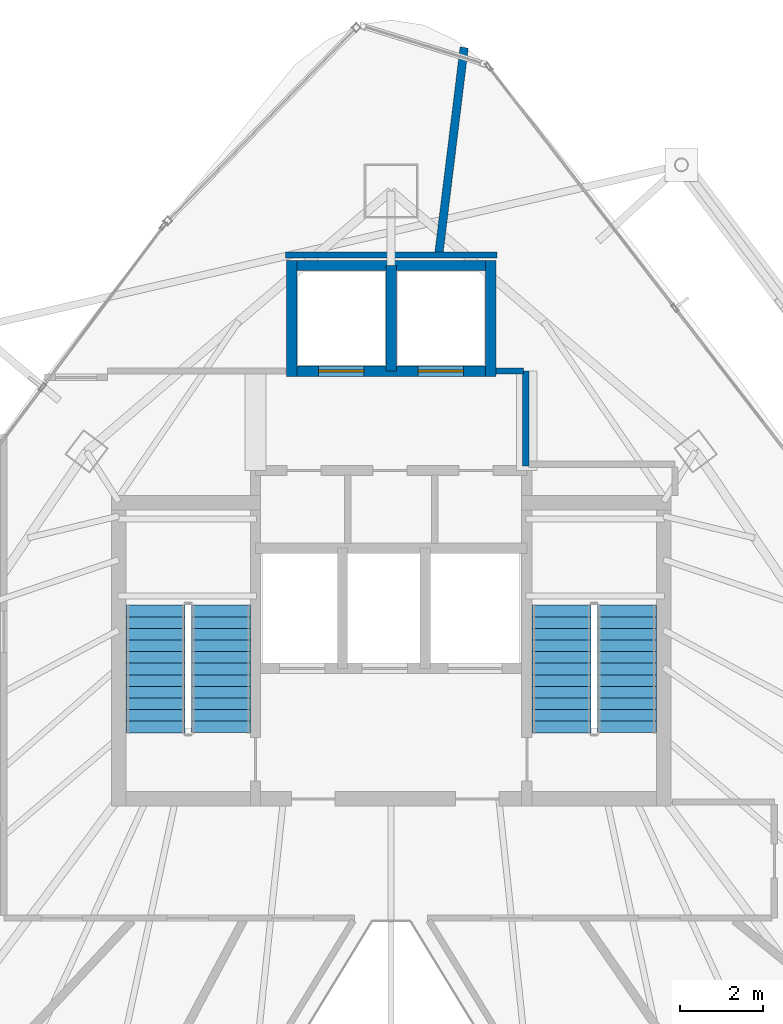
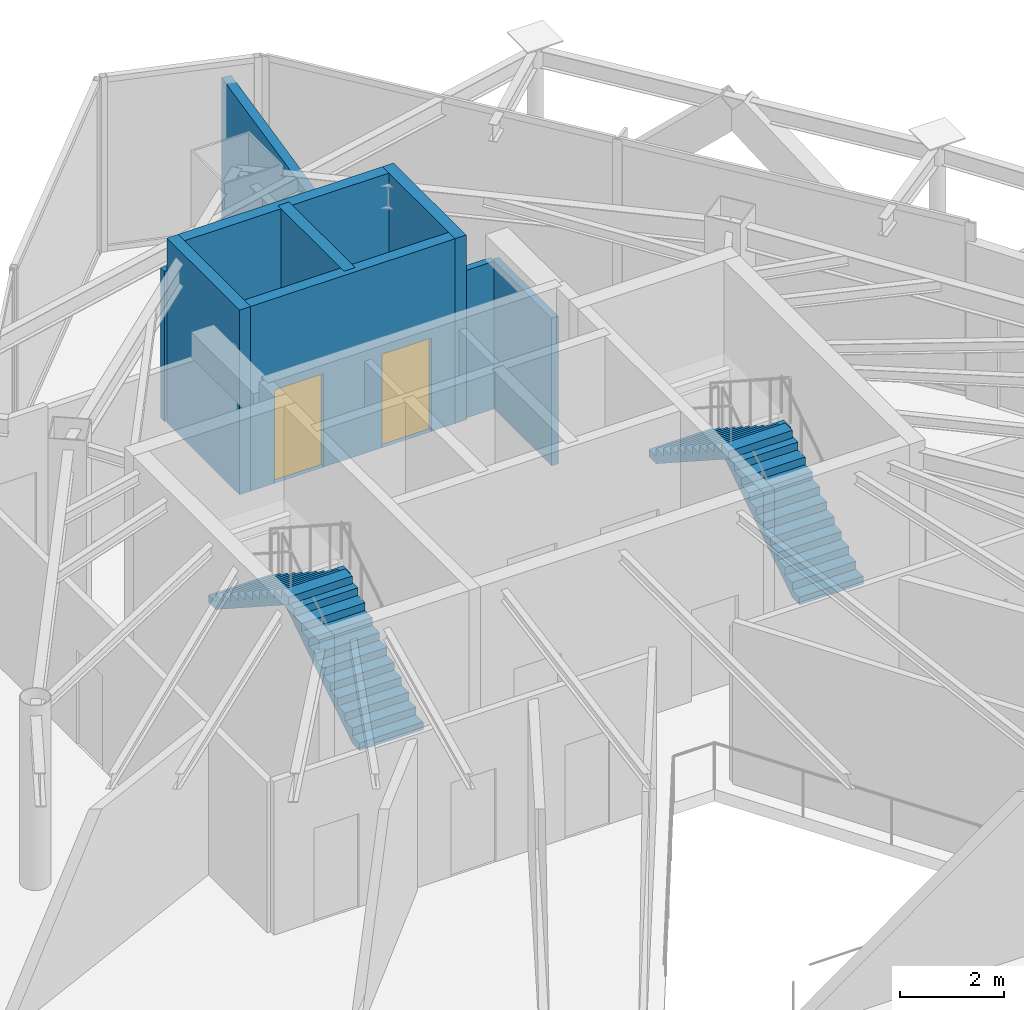
# One storey, part 22 of 25: 9 walls, 4 stair flights, 2 doors, 2 openings, 2 elements without a shape of their own.
"""IFC4 building model written with IfcOpenShell, lengths in metres."""

from ifc_helpers import new_model, si_unit, direction, frame, frame_2d, origin, place, context, subcontext, project, spatial, polyline, rectangle, outline, extrude, material, layer, layer_set, type_object, element, fill, aggregate, save


model = new_model("IFC4")

# Units and contexts
model_context = context("Model", 3, precision=1e-05, world=origin(), true_north=direction((0.0, 1.0)))
body_context = subcontext(model_context, "Body", "Model", "MODEL_VIEW")
ifc_project = project(units=[si_unit("LENGTHUNIT", "METRE"), si_unit("AREAUNIT", "SQUARE_METRE"), si_unit("VOLUMEUNIT", "CUBIC_METRE"), si_unit("PLANEANGLEUNIT", "RADIAN"), si_unit("MASSUNIT", "GRAM", prefix="KILO")], contexts=[model_context])

# Site, building, storey
site_placement = place(None, origin())
site = spatial("IfcSite", under=ifc_project, at=site_placement, CompositionType="ELEMENT")
building_placement = place(site_placement, origin())
building = spatial("IfcBuilding", under=site, at=building_placement, Name="Orvanel Arch Residences", CompositionType="ELEMENT")
storey_placement = place(building_placement, frame((0.0, 0.0, 236.0)))
storey = spatial("IfcBuildingStorey", under=building, at=storey_placement, Name="L67", CompositionType="ELEMENT", Elevation=236.0)

# Wall, openings, doors
ifc_material_1 = material(Name="Concrete N50 (50 MPa)", Category="concrete")
ifc_layer_1 = layer(ifc_material_1, 0.25)
ifc_layer_set_1 = layer_set([ifc_layer_1], Name="Concrete N50 (50 MPa)")
wall_type_1 = type_object("IfcWallType", Name="SW-CORE-250", PredefinedType="SHEAR", material=ifc_layer_set_1)
wall_1_placement = place(storey_placement, frame((35.52490234375, 37.050048828125, 0.0), z_axis=(0.0, 0.0, 1.0), x_axis=(-1.0, 0.0, 0.0)))
wall_1 = element("IfcWall", 1, at=wall_1_placement, inside=storey, type_object=wall_type_1, Name="L67 Passenger Lift Bank Front Shear Wall", PredefinedType="SHEAR", context=body_context, shape_type="SweptSolid", body=[
    extrude(rectangle(XDim=5.0498046875, YDim=0.25, at=frame_2d((2.52490234375, 0.0))), origin(), (0.0, 0.0, 1.0), 4.35009765625),
])
opening_1_placement = place(wall_1_placement, frame((3.175048828125, 0.0, 0.0)))
opening_1 = element("IfcOpeningElement", 2, at=opening_1_placement, cuts=wall_1, Name="Opening LD-110", PredefinedType="OPENING", context=body_context, shape_type="SweptSolid", body=[
    extrude(rectangle(XDim=1.10009765625, YDim=2.199951171875, at=frame_2d((0.550048828125, 1.10009765625))), frame((0.0, 0.135009765625, 0.0), z_axis=(0.0, -1.0, 0.0), x_axis=(1.0, 0.0, 0.0)), (0.0, 0.0, 1.0), 0.27001953125),
])
opening_2_placement = place(wall_1_placement, frame((0.77490234375, 0.0, 0.0)))
opening_2 = element("IfcOpeningElement", 3, at=opening_2_placement, cuts=wall_1, Name="Opening LD-110", PredefinedType="OPENING", context=body_context, shape_type="SweptSolid", body=[
    extrude(rectangle(XDim=1.10009765625, YDim=2.199951171875, at=frame_2d((0.550048828125, 1.10009765625))), frame((0.0, 0.135009765625, 0.0), z_axis=(0.0, -1.0, 0.0), x_axis=(1.0, 0.0, 0.0)), (0.0, 0.0, 1.0), 0.27001953125),
])
ifc_material_2 = material(Name="Galvanised steel fire-resisting door assembly", Category="steel")
door_type = type_object("IfcDoorType", Name="DR-LFT-1100", OperationType="NOTDEFINED", PredefinedType="DOOR", material=ifc_material_2)
door_1_placement = place(opening_1_placement, origin())
door_1 = element("IfcDoor", 4, at=door_1_placement, inside=storey, type_object=door_type, Name="LD-P5-L67 L67 Passenger Lift P5 Sliding Landing Door", OperationType="DOUBLE_DOOR_SLIDING", OverallHeight=2.199951171875, OverallWidth=1.10009765625, PredefinedType="DOOR", context=body_context, shape_type="SweptSolid", body=[
    extrude(rectangle(XDim=1.10009765625, YDim=2.199951171875, at=frame_2d((0.550048828125, 1.10009765625))), frame((0.0, 0.02490234375, 0.0), z_axis=(0.0, -1.0, 0.0), x_axis=(1.0, 0.0, 0.0)), (0.0, 0.0, 1.0), 0.050048828125),
])
fill(opening_1, door_1)
door_2_placement = place(opening_2_placement, origin())
door_2 = element("IfcDoor", 5, at=door_2_placement, inside=storey, type_object=door_type, Name="LD-P6-L67 L67 Passenger Lift P6 Sliding Landing Door", OperationType="DOUBLE_DOOR_SLIDING", OverallHeight=2.199951171875, OverallWidth=1.10009765625, PredefinedType="DOOR", context=body_context, shape_type="SweptSolid", body=[
    extrude(rectangle(XDim=1.10009765625, YDim=2.199951171875, at=frame_2d((0.550048828125, 1.10009765625))), frame((0.0, 0.02490234375, 0.0), z_axis=(0.0, -1.0, 0.0), x_axis=(1.0, 0.0, 0.0)), (0.0, 0.0, 1.0), 0.050048828125),
])
fill(opening_2, door_2)

# Walls
wall_2_placement = place(storey_placement, frame((30.47509765625, 39.60009765625, 0.0), z_axis=(0.0, 0.0, 1.0), x_axis=(1.0, 0.0, 0.0)))
element("IfcWall", 6, at=wall_2_placement, inside=storey, type_object=wall_type_1, Name="L67 Passenger Lift Bank North Shear Wall", PredefinedType="SHEAR", context=body_context, shape_type="SweptSolid", body=[
    extrude(rectangle(XDim=5.0498046875, YDim=0.25, at=frame_2d((2.52490234375, 0.0))), origin(), (0.0, 0.0, 1.0), 4.35009765625),
])
for number, where, z_axis, x_axis, name in (
    (7, (30.60009765625, 36.925048828125, 0.0), (0.0, 0.0, 1.0), (0.0, 1.0, 0.0), "L67 Passenger Lift Bank West Shear Wall"),
    (8, (35.39990234375, 36.925048828125, 0.0), (0.0, 0.0, 1.0), (0.0, 1.0, 0.0), "L67 Passenger Lift Bank East Shear Wall"),
):
    element("IfcWall", number, at=place(storey_placement, frame(where, z_axis=z_axis, x_axis=x_axis)), inside=storey, type_object=wall_type_1, Name=name, PredefinedType="SHEAR", context=body_context, shape_type="SweptSolid", body=[
        extrude(rectangle(XDim=2.800048828125, YDim=0.25, at=frame_2d((1.39990234375, 0.0))), origin(), (0.0, 0.0, 1.0), 4.35009765625),
    ])
wall_3_placement = place(storey_placement, frame((33.0, 37.050048828125, 0.0), z_axis=(0.0, 0.0, 1.0), x_axis=(0.0, 1.0, 0.0)))
element("IfcWall", 9, at=wall_3_placement, inside=storey, type_object=wall_type_1, Name="L67 Passenger Lift Inter-Shaft Wall P56", PredefinedType="SHEAR", context=body_context, shape_type="SweptSolid", body=[
    extrude(rectangle(XDim=2.550048828125, YDim=0.25, at=frame_2d((1.27490234375, 0.0))), origin(), (0.0, 0.0, 1.0), 4.35009765625),
])
ifc_material_3 = material(Name="Fire-rated plasterboard lined steel stud partition", Category="steel")
ifc_layer_2 = layer(ifc_material_3, 0.14990234375)
ifc_layer_set_2 = layer_set([ifc_layer_2], Name="Fire-rated plasterboard lined steel stud partition")
wall_type_2 = type_object("IfcWallType", Name="W-COR-150", PredefinedType="PARTITIONING", material=ifc_layer_set_2)
wall_4_placement = place(storey_placement, frame((36.25, 34.760009765625, 0.0), z_axis=(0.0, 0.0, 1.0), x_axis=(0.0, 1.0, 0.0)))
element("IfcWall", 10, at=wall_4_placement, inside=storey, type_object=wall_type_2, Name="L67 Passenger Lift Lobby East Closure Wall", PredefinedType="PARTITIONING", context=body_context, shape_type="SweptSolid", body=[
    extrude(rectangle(XDim=2.2900390625, YDim=0.14990234375, at=frame_2d((1.14501953125, 0.0))), origin(), (0.0, 0.0, 1.0), 3.47509765625),
])
wall_5_placement = place(storey_placement, frame((35.52490234375, 37.050048828125, 0.0), z_axis=(0.0, 0.0, 1.0), x_axis=(1.0, 0.0, 0.0)))
element("IfcWall", 11, at=wall_5_placement, inside=storey, type_object=wall_type_2, Name="L67 Passenger Lift Lobby North-East Wall", PredefinedType="PARTITIONING", context=body_context, shape_type="SweptSolid", body=[
    extrude(rectangle(XDim=0.6650390625, YDim=0.14990234375, at=frame_2d((0.33251953125, 0.0))), origin(), (0.0, 0.0, 1.0), 3.47509765625),
])
wall_6_placement = place(storey_placement, frame((30.449951171875, 39.85009765625, 0.0), z_axis=(0.0, 0.0, 1.0), x_axis=(1.0, 0.0, 0.0)))
element("IfcWall", 12, at=wall_6_placement, inside=storey, type_object=wall_type_2, Name="L67 Core Perimeter Wall", PredefinedType="PARTITIONING", context=body_context, shape_type="SweptSolid", body=[
    extrude(rectangle(XDim=5.10009765625, YDim=0.14990234375, at=frame_2d((2.550048828125, 0.0))), origin(), (0.0, 0.0, 1.0), 3.5419921875),
])
ifc_layer_3 = layer(ifc_material_3, 0.199951171875)
ifc_layer_set_3 = layer_set([ifc_layer_3], Name="Fire-rated plasterboard lined steel stud partition")
wall_type_3 = type_object("IfcWallType", Name="W-DEM-200", PredefinedType="PARTITIONING", material=ifc_layer_set_3)
wall_7_placement = place(storey_placement, frame((34.155029296875, 39.909912109375, 0.0), z_axis=(0.0, 0.0, 1.0), x_axis=(0.121865925179, 0.992546571341, 0.0)))
element("IfcWall", 13, at=wall_7_placement, inside=storey, type_object=wall_type_3, Name="L67 Amenity Wall", PredefinedType="PARTITIONING", context=body_context, shape_type="SweptSolid", body=[
    extrude(rectangle(XDim=4.98828125, YDim=0.199951171875, at=frame_2d((2.494140625, 0.0))), origin(), (0.0, 0.0, 1.0), 3.5419921875),
])

# Stair, stair flights
ifc_material_4 = material(Name="Precast concrete N50 (50 MPa)", Category="concrete")
stair_type = type_object("IfcStairType", Name="STR-DOG-181", PredefinedType="USERDEFINED", material=ifc_material_4)
stair_1_placement = place(storey_placement, origin())
stair_1 = element("IfcStair", 14, at=stair_1_placement, inside=storey, type_object=stair_type, Name="L67 Fire-Isolated Core Exit Stair 1", ObjectType="TWO_RETURN_STAIR", PredefinedType="USERDEFINED")
stair_flight_type_1 = type_object("IfcStairFlightType", Name="SFL-C1-181", PredefinedType="STRAIGHT", material=ifc_material_4)
stair_flight_1_placement = place(storey_placement, frame((28.889892578125, 28.320068359375, 0.0), z_axis=(0.0, 0.0, 1.0), x_axis=(0.0, 1.0, 0.0)))
stair_flight_1 = element("IfcStairFlight", 15, at=stair_flight_1_placement, type_object=stair_flight_type_1, Name="ST-1 flight 1", NumberOfRisers=12, NumberOfTreads=11, PredefinedType="STRAIGHT", RiserHeight=0.18125, TreadLength=0.28, context=body_context, shape_type="SweptSolid", body=[
    extrude(outline(polyline([(0.0, 0.0), (0.0, 0.18115234375), (0.280029296875, 0.18115234375), (0.280029296875, 0.362548828125), (0.56005859375, 0.362548828125), (0.56005859375, 0.543701171875), (0.840087890625, 0.543701171875), (0.840087890625, 0.72509765625), (1.1201171875, 0.72509765625), (1.1201171875, 0.90625), (1.39990234375, 0.90625), (1.39990234375, 1.08740234375), (1.679931640625, 1.08740234375), (1.679931640625, 1.268798828125), (1.9599609375, 1.268798828125), (1.9599609375, 1.449951171875), (2.239990234375, 1.449951171875), (2.239990234375, 1.63134765625), (2.52001953125, 1.63134765625), (2.52001953125, 1.8125), (2.800048828125, 1.8125), (2.800048828125, 1.99365234375), (3.080078125, 1.99365234375), (3.080078125, 2.175048828125), (3.080078125, 1.815185546875), (0.27587890625, 0.0), (0.0, 0.0)])), frame((0.0, 0.7099609375, 0.0), z_axis=(0.0, -1.0, 0.0), x_axis=(1.0, 0.0, 0.0)), (0.0, 0.0, 1.0), 1.419921875),
])
stair_flight_2_placement = place(storey_placement, frame((27.31005859375, 31.39990234375, 2.175048828125), z_axis=(0.0, 0.0, 1.0), x_axis=(0.0, -1.0, 0.0)))
stair_flight_2 = element("IfcStairFlight", 16, at=stair_flight_2_placement, type_object=stair_flight_type_1, Name="ST-1 flight 2", NumberOfRisers=12, NumberOfTreads=11, PredefinedType="STRAIGHT", RiserHeight=0.18125, TreadLength=0.28, context=body_context, shape_type="SweptSolid", body=[
    extrude(outline(polyline([(0.0, 0.0), (0.0, 0.18115234375), (0.280029296875, 0.18115234375), (0.280029296875, 0.362548828125), (0.56005859375, 0.362548828125), (0.56005859375, 0.543701171875), (0.840087890625, 0.543701171875), (0.840087890625, 0.72509765625), (1.1201171875, 0.72509765625), (1.1201171875, 0.90625), (1.39990234375, 0.90625), (1.39990234375, 1.08740234375), (1.679931640625, 1.08740234375), (1.679931640625, 1.268798828125), (1.9599609375, 1.268798828125), (1.9599609375, 1.449951171875), (2.239990234375, 1.449951171875), (2.239990234375, 1.63134765625), (2.52001953125, 1.63134765625), (2.52001953125, 1.8125), (2.800048828125, 1.8125), (2.800048828125, 1.99365234375), (3.080078125, 1.99365234375), (3.080078125, 2.175048828125), (3.080078125, 1.815185546875), (0.27587890625, 0.0), (0.0, 0.0)])), frame((0.0, 0.7099609375, 0.0), z_axis=(0.0, -1.0, 0.0), x_axis=(1.0, 0.0, 0.0)), (0.0, 0.0, 1.0), 1.419921875),
])
aggregate(stair_1, [stair_flight_1, stair_flight_2])

stair_2_placement = place(storey_placement, origin())
stair_2 = element("IfcStair", 17, at=stair_2_placement, inside=storey, type_object=stair_type, Name="L67 Fire-Isolated Core Exit Stair 2", ObjectType="TWO_RETURN_STAIR", PredefinedType="USERDEFINED")
stair_flight_type_2 = type_object("IfcStairFlightType", Name="SFL-C2-181", PredefinedType="STRAIGHT", material=ifc_material_4)
stair_flight_3_placement = place(storey_placement, frame((38.68994140625, 28.320068359375, 0.0), z_axis=(0.0, 0.0, 1.0), x_axis=(0.0, 1.0, 0.0)))
stair_flight_3 = element("IfcStairFlight", 18, at=stair_flight_3_placement, type_object=stair_flight_type_2, Name="ST-2 flight 1", NumberOfRisers=12, NumberOfTreads=11, PredefinedType="STRAIGHT", RiserHeight=0.18125, TreadLength=0.28, context=body_context, shape_type="SweptSolid", body=[
    extrude(outline(polyline([(0.0, 0.0), (0.0, 0.18115234375), (0.280029296875, 0.18115234375), (0.280029296875, 0.362548828125), (0.56005859375, 0.362548828125), (0.56005859375, 0.543701171875), (0.840087890625, 0.543701171875), (0.840087890625, 0.72509765625), (1.1201171875, 0.72509765625), (1.1201171875, 0.90625), (1.39990234375, 0.90625), (1.39990234375, 1.08740234375), (1.679931640625, 1.08740234375), (1.679931640625, 1.268798828125), (1.9599609375, 1.268798828125), (1.9599609375, 1.449951171875), (2.239990234375, 1.449951171875), (2.239990234375, 1.63134765625), (2.52001953125, 1.63134765625), (2.52001953125, 1.8125), (2.800048828125, 1.8125), (2.800048828125, 1.99365234375), (3.080078125, 1.99365234375), (3.080078125, 2.175048828125), (3.080078125, 1.815185546875), (0.27587890625, 0.0), (0.0, 0.0)])), frame((0.0, 0.7099609375, 0.0), z_axis=(0.0, -1.0, 0.0), x_axis=(1.0, 0.0, 0.0)), (0.0, 0.0, 1.0), 1.419921875),
])
stair_flight_4_placement = place(storey_placement, frame((37.110107421875, 31.39990234375, 2.175048828125), z_axis=(0.0, 0.0, 1.0), x_axis=(0.0, -1.0, 0.0)))
stair_flight_4 = element("IfcStairFlight", 19, at=stair_flight_4_placement, type_object=stair_flight_type_2, Name="ST-2 flight 2", NumberOfRisers=12, NumberOfTreads=11, PredefinedType="STRAIGHT", RiserHeight=0.18125, TreadLength=0.28, context=body_context, shape_type="SweptSolid", body=[
    extrude(outline(polyline([(0.0, 0.0), (0.0, 0.18115234375), (0.280029296875, 0.18115234375), (0.280029296875, 0.362548828125), (0.56005859375, 0.362548828125), (0.56005859375, 0.543701171875), (0.840087890625, 0.543701171875), (0.840087890625, 0.72509765625), (1.1201171875, 0.72509765625), (1.1201171875, 0.90625), (1.39990234375, 0.90625), (1.39990234375, 1.08740234375), (1.679931640625, 1.08740234375), (1.679931640625, 1.268798828125), (1.9599609375, 1.268798828125), (1.9599609375, 1.449951171875), (2.239990234375, 1.449951171875), (2.239990234375, 1.63134765625), (2.52001953125, 1.63134765625), (2.52001953125, 1.8125), (2.800048828125, 1.8125), (2.800048828125, 1.99365234375), (3.080078125, 1.99365234375), (3.080078125, 2.175048828125), (3.080078125, 1.815185546875), (0.27587890625, 0.0), (0.0, 0.0)])), frame((0.0, 0.7099609375, 0.0), z_axis=(0.0, -1.0, 0.0), x_axis=(1.0, 0.0, 0.0)), (0.0, 0.0, 1.0), 1.419921875),
])
aggregate(stair_2, [stair_flight_3, stair_flight_4])

save(model, "model.ifc")
